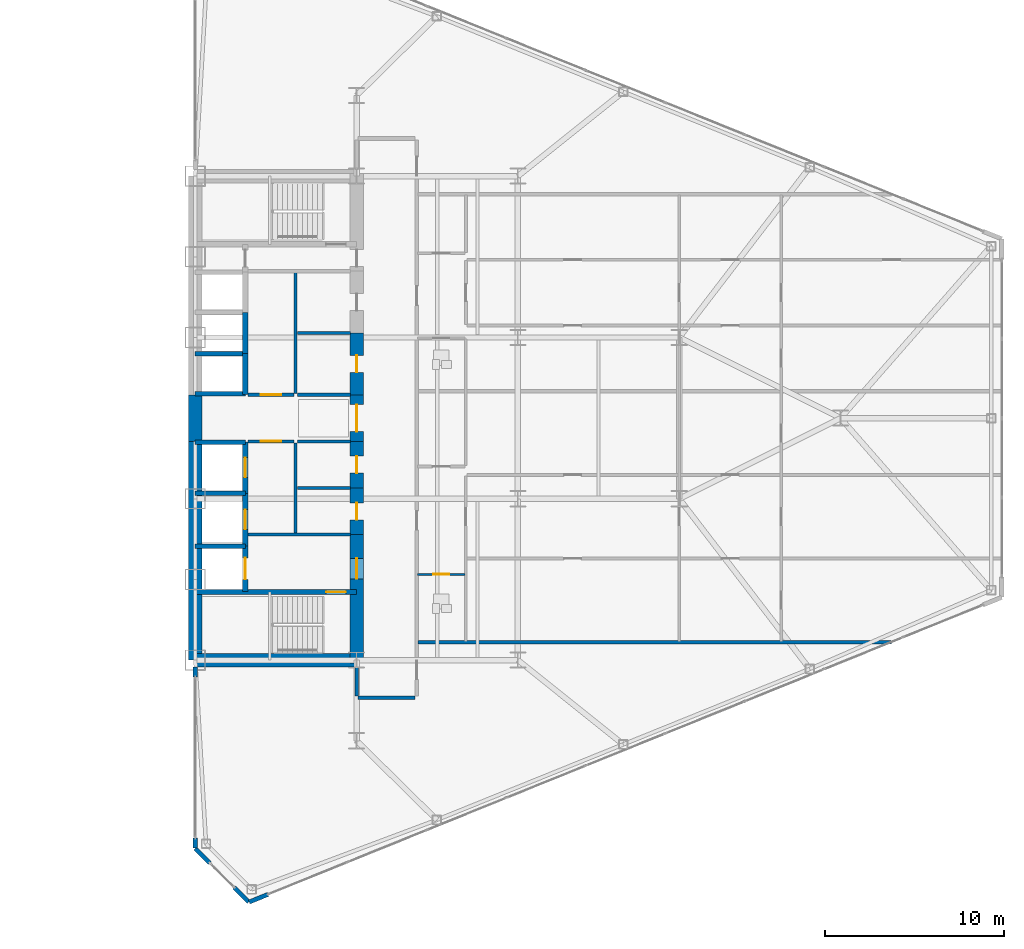
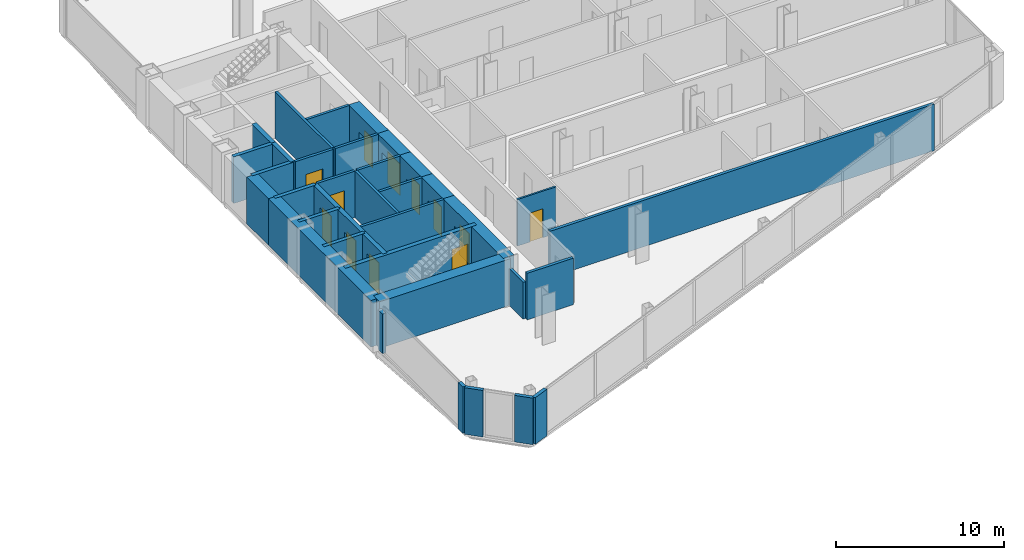
# One storey, part 20 of 25: 37 walls, 12 doors, 12 openings.
"""IFC4 building model written with IfcOpenShell, lengths in metres."""

from ifc_helpers import new_model, si_unit, direction, frame, frame_2d, origin, place, context, subcontext, project, spatial, rectangle, extrude, source, transform, mapped, material, layer, layer_set, type_object, type_shapes, element, fill, save


model = new_model("IFC4")

# Units and contexts
model_context = context("Model", 3, precision=1e-05, world=origin(), true_north=direction((0.0, 1.0)))
body_context = subcontext(model_context, "Body", "Model", "MODEL_VIEW")
ifc_project = project(units=[si_unit("LENGTHUNIT", "METRE"), si_unit("AREAUNIT", "SQUARE_METRE"), si_unit("VOLUMEUNIT", "CUBIC_METRE"), si_unit("PLANEANGLEUNIT", "RADIAN"), si_unit("MASSUNIT", "GRAM", prefix="KILO")], contexts=[model_context])

# Site, building, storey
site_placement = place(None, origin())
site = spatial("IfcSite", under=ifc_project, at=site_placement, CompositionType="ELEMENT")
building_placement = place(site_placement, origin())
building = spatial("IfcBuilding", under=site, at=building_placement, Name="Seokmaru Belvedere", CompositionType="ELEMENT")
storey_placement = place(building_placement, frame((0.0, 0.0, 51.300048828125)))
storey = spatial("IfcBuildingStorey", under=building, at=storey_placement, Name="L13", CompositionType="ELEMENT", Elevation=51.300048828125)

# Walls
ifc_material_1 = material(Name="Fire-Rated Gypsum Shaftwall")
ifc_layer_1 = layer(ifc_material_1, 0.179931640625)
ifc_layer_set_1 = layer_set([ifc_layer_1], Name="Fire-Rated Gypsum Shaftwall")
wall_type_1 = type_object("IfcWallType", Name="Core Service Fire Partition 180", PredefinedType="PARTITIONING", material=ifc_layer_set_1)
wall_1_placement = place(storey_placement, frame((30.449951171875, -6.5, 0.0), z_axis=(0.0, 0.0, 1.0), x_axis=(1.0, 0.0, 0.0)))
element("IfcWall", 1, at=wall_1_placement, inside=storey, type_object=wall_type_1, Name="L13 East Firefighting Lobby Partition", PredefinedType="PARTITIONING", context=body_context, shape_type="SweptSolid", body=[
    extrude(rectangle(XDim=5.699951171875, YDim=0.179931640625, at=frame_2d((2.85009765625, 0.0))), origin(), (0.0, 0.0, 1.0), 3.3798828125),
])
wall_2_placement = place(storey_placement, frame((33.10009765625, -6.419921875, 0.0), z_axis=(0.0, 0.0, 1.0), x_axis=(0.0, 1.0, 0.0)))
element("IfcWall", 2, at=wall_2_placement, inside=storey, type_object=wall_type_1, Name="L13 East South Core Service Back Wall", PredefinedType="PARTITIONING", context=body_context, shape_type="SweptSolid", body=[
    extrude(rectangle(XDim=5.0400390625, YDim=0.179931640625, at=frame_2d((2.52001953125, 0.0))), origin(), (0.0, 0.0, 1.0), 3.3798828125),
])
wall_3_placement = place(storey_placement, frame((33.10009765625, 1.3798828125, 0.0), z_axis=(0.0, 0.0, 1.0), x_axis=(0.0, 1.0, 0.0)))
element("IfcWall", 3, at=wall_3_placement, inside=storey, type_object=wall_type_1, Name="L13 East North Core Service Back Wall", PredefinedType="PARTITIONING", context=body_context, shape_type="SweptSolid", body=[
    extrude(rectangle(XDim=6.740234375, YDim=0.179931640625, at=frame_2d((3.3701171875, 0.0))), origin(), (0.0, 0.0, 1.0), 3.3798828125),
])

# Wall, opening, door
wall_4_placement = place(storey_placement, frame((30.449951171875, -1.300048828125, 0.0), z_axis=(0.0, 0.0, 1.0), x_axis=(1.0, 0.0, 0.0)))
wall_4 = element("IfcWall", 4, at=wall_4_placement, inside=storey, type_object=wall_type_1, Name="L13 East South Lift Lobby Foyer Wall", PredefinedType="PARTITIONING", context=body_context, shape_type="SweptSolid", body=[
    extrude(rectangle(XDim=2.570068359375, YDim=0.179931640625, at=frame_2d((1.28515625, 0.0))), origin(), (0.0, 0.0, 1.0), 3.3798828125),
])
opening_1_placement = place(wall_4_placement, frame((0.7099609375, 0.0, 0.0)))
opening_1 = element("IfcOpeningElement", 5, at=opening_1_placement, cuts=wall_4, Name="Opening D02", PredefinedType="OPENING", context=body_context, shape_type="SweptSolid", body=[
    extrude(rectangle(XDim=1.14990234375, YDim=2.199951171875, at=frame_2d((0.574951171875, 1.10009765625))), frame((0.0, 0.10009765625, 0.0), z_axis=(0.0, -1.0, 0.0), x_axis=(1.0, 0.0, 0.0)), (0.0, 0.0, 1.0), 0.199951171875),
])
ifc_material_2 = material(Name="Fire-Rated Steel Leaf", Category="steel")
door_type_1 = type_object("IfcDoorType", Name="Lobby and Vestibule Fire Door 1150x2200", OperationType="NOTDEFINED", PredefinedType="DOOR", material=ifc_material_2)
shared_shape_1 = source(origin(), body_context, "Body", "SweptSolid", [
    extrude(rectangle(XDim=1.14990234375, YDim=2.199951171875, at=frame_2d((0.574951171875, 1.10009765625))), frame((0.0, 0.02490234375, 0.0), z_axis=(0.0, -1.0, 0.0), x_axis=(1.0, 0.0, 0.0)), (0.0, 0.0, 1.0), 0.050048828125),
])
type_shapes(door_type_1, [shared_shape_1])
door_1_placement = place(opening_1_placement, origin())
door_1 = element("IfcDoor", 6, at=door_1_placement, inside=storey, type_object=door_type_1, Name="L13 East South Core Foyer Door", OperationType="SINGLE_SWING_RIGHT", OverallHeight=2.199951171875, OverallWidth=1.14990234375, PredefinedType="DOOR", context=body_context, shape_type="MappedRepresentation", body=[
    mapped(shared_shape_1, transform((0.0, 0.0, 0.0), scale=1.0)),
])
fill(opening_1, door_1)

wall_5_placement = place(storey_placement, frame((30.449951171875, 1.300048828125, 0.0), z_axis=(0.0, 0.0, 1.0), x_axis=(1.0, 0.0, 0.0)))
wall_5 = element("IfcWall", 7, at=wall_5_placement, inside=storey, type_object=wall_type_1, Name="L13 East North Lift Lobby Foyer Wall", PredefinedType="PARTITIONING", context=body_context, shape_type="SweptSolid", body=[
    extrude(rectangle(XDim=2.570068359375, YDim=0.179931640625, at=frame_2d((1.28515625, 0.0))), origin(), (0.0, 0.0, 1.0), 3.3798828125),
])
opening_2_placement = place(wall_5_placement, frame((0.7099609375, 0.0, 0.0)))
opening_2 = element("IfcOpeningElement", 8, at=opening_2_placement, cuts=wall_5, Name="Opening D02", PredefinedType="OPENING", context=body_context, shape_type="SweptSolid", body=[
    extrude(rectangle(XDim=1.14990234375, YDim=2.199951171875, at=frame_2d((0.574951171875, 1.10009765625))), frame((0.0, 0.10009765625, 0.0), z_axis=(0.0, -1.0, 0.0), x_axis=(1.0, 0.0, 0.0)), (0.0, 0.0, 1.0), 0.199951171875),
])
door_2_placement = place(opening_2_placement, origin())
door_2 = element("IfcDoor", 9, at=door_2_placement, inside=storey, type_object=door_type_1, Name="L13 East North Lift Lobby Door", OperationType="SINGLE_SWING_LEFT", OverallHeight=2.199951171875, OverallWidth=1.14990234375, PredefinedType="DOOR", context=body_context, shape_type="MappedRepresentation", body=[
    mapped(shared_shape_1, transform((0.0, 0.0, 0.0), scale=1.0)),
])
fill(opening_2, door_2)

# Walls
for number, where, z_axis, x_axis, name in (
    (10, (33.199951171875, -1.300048828125, 0.0), (0.0, 0.0, 1.0), (1.0, 0.0, 0.0), "L13 East Foyer Side Wall S"),
    (11, (33.199951171875, 1.300048828125, 0.0), (0.0, 0.0, 1.0), (1.0, 0.0, 0.0), "L13 East Foyer Side Wall N"),
    (12, (33.199951171875, -3.89990234375, 0.0), (0.0, 0.0, 1.0), (1.0, 0.0, 0.0), "L13 East Core Service Partition 1"),
    (13, (33.199951171875, 4.75, 0.0), (0.0, 0.0, 1.0), (1.0, 0.0, 0.0), "L13 East Core Service Partition 2"),
):
    element("IfcWall", number, at=place(storey_placement, frame(where, z_axis=z_axis, x_axis=x_axis)), inside=storey, type_object=wall_type_1, Name=name, PredefinedType="PARTITIONING", context=body_context, shape_type="SweptSolid", body=[
        extrude(rectangle(XDim=2.949951171875, YDim=0.179931640625, at=frame_2d((1.47509765625, 0.0))), origin(), (0.0, 0.0, 1.0), 3.3798828125),
    ])
ifc_material_3 = material(Name="Concrete C50 (50 MPa)", Category="concrete")
ifc_layer_2 = layer(ifc_material_3, 0.25)
ifc_layer_set_2 = layer_set([ifc_layer_2], Name="Concrete C50 (50 MPa)")
wall_type_2 = type_object("IfcWallType", Name="Hoistway Transverse Concrete Divider Wall 250", PredefinedType="SHEAR", material=ifc_layer_set_2)
for number, where, z_axis, x_axis, name in (
    (14, (27.5, -7.14990234375, 0.0), (0.0, 0.0, 1.0), (1.0, 0.0, 0.0), "L13 East Hoistway Divider Core Wall 1"),
    (15, (27.5, -4.199951171875, 0.0), (0.0, 0.0, 1.0), (1.0, 0.0, 0.0), "L13 East Hoistway Divider Core Wall 2"),
    (16, (27.5, -1.35009765625, 0.0), (0.0, 0.0, 1.0), (1.0, 0.0, 0.0), "L13 East Hoistway Divider Core Wall 3"),
    (17, (27.5, 1.35009765625, 0.0), (0.0, 0.0, 1.0), (1.0, 0.0, 0.0), "L13 East Hoistway Divider Core Wall 4"),
    (18, (27.5, 3.60009765625, 0.0), (0.0, 0.0, 1.0), (1.0, 0.0, 0.0), "L13 East Hoistway Divider Core Wall 5"),
):
    element("IfcWall", number, at=place(storey_placement, frame(where, z_axis=z_axis, x_axis=x_axis)), inside=storey, type_object=wall_type_2, Name=name, PredefinedType="SHEAR", context=body_context, shape_type="SweptSolid", body=[
        extrude(rectangle(XDim=2.800048828125, YDim=0.25, at=frame_2d((1.39990234375, 0.0))), origin(), (0.0, 0.0, 1.0), 3.3798828125),
    ])
ifc_layer_3 = layer(ifc_material_1, 0.199951171875)
ifc_layer_set_3 = layer_set([ifc_layer_3], Name="Fire-Rated Gypsum Shaftwall")
wall_type_3 = type_object("IfcWallType", Name="Inter-Tenancy Fire Compartment Partition 200", PredefinedType="PARTITIONING", material=ifc_layer_set_3)
wall_6_placement = place(storey_placement, frame((36.5849609375, -15.60009765625, 0.0), z_axis=(0.0, 0.0, 1.0), x_axis=(1.0, 0.0, 0.0)))
element("IfcWall", 19, at=wall_6_placement, inside=storey, type_object=wall_type_3, Name="L13 Interior Partition 005", PredefinedType="PARTITIONING", context=body_context, shape_type="SweptSolid", body=[
    extrude(rectangle(XDim=3.179931640625, YDim=0.199951171875, at=frame_2d((1.58984375, 0.0))), origin(), (0.0, 0.0, 1.0), 3.3798828125),
])
wall_7_placement = place(storey_placement, frame((39.929931640625, -12.5, 0.0), z_axis=(0.0, 0.0, 1.0), x_axis=(1.0, 0.0, 0.0)))
element("IfcWall", 20, at=wall_7_placement, inside=storey, type_object=wall_type_3, Name="L13 Interior Partition 008", PredefinedType="PARTITIONING", context=body_context, shape_type="SweptSolid", body=[
    extrude(rectangle(XDim=26.406982421875, YDim=0.199951171875, at=frame_2d((13.20361328125, 0.0))), origin(), (0.0, 0.0, 1.0), 3.3798828125),
])
wall_8_placement = place(storey_placement, frame((36.5, -15.514892578125, 0.0), z_axis=(0.0, 0.0, 1.0), x_axis=(0.0, 1.0, 0.0)))
element("IfcWall", 21, at=wall_8_placement, inside=storey, type_object=wall_type_3, Name="L13 Interior Partition 043", PredefinedType="PARTITIONING", context=body_context, shape_type="SweptSolid", body=[
    extrude(rectangle(XDim=1.635009765625, YDim=0.199951171875, at=frame_2d((0.8173828125, 0.0))), origin(), (0.0, 0.0, 1.0), 2.679931640625),
])

# Wall, opening, door
ifc_layer_4 = layer(ifc_material_3, 0.300048828125)
ifc_layer_set_4 = layer_set([ifc_layer_4], Name="Concrete C50 (50 MPa)")
wall_type_4 = type_object("IfcWallType", Name="Internal Core Stair and Hoistway Wall 300", PredefinedType="SHEAR", material=ifc_layer_set_4)
wall_9_placement = place(storey_placement, frame((27.5, -9.699951171875, 0.0), z_axis=(0.0, 0.0, 1.0), x_axis=(1.0, 0.0, 0.0)))
wall_9 = element("IfcWall", 22, at=wall_9_placement, inside=storey, type_object=wall_type_4, Name="L13 East Stair ST-1 Enclosure Wall", PredefinedType="SHEAR", context=body_context, shape_type="SweptSolid", body=[
    extrude(rectangle(XDim=9.0, YDim=0.300048828125, at=frame_2d((4.5, 0.0))), origin(), (0.0, 0.0, 1.0), 3.3798828125),
])
opening_3_placement = place(wall_9_placement, frame((7.300048828125, 0.0, 0.0)))
opening_3 = element("IfcOpeningElement", 23, at=opening_3_placement, cuts=wall_9, Name="Opening D01", PredefinedType="OPENING", context=body_context, shape_type="SweptSolid", body=[
    extrude(rectangle(XDim=1.10009765625, YDim=2.199951171875, at=frame_2d((0.550048828125, 1.10009765625))), frame((0.0, 0.16015625, 0.0), z_axis=(0.0, -1.0, 0.0), x_axis=(1.0, 0.0, 0.0)), (0.0, 0.0, 1.0), 0.320068359375),
])
door_type_2 = type_object("IfcDoorType", Name="Special Escape Stair Smokeproof Fire Door 1100x2200", OperationType="NOTDEFINED", PredefinedType="DOOR", material=ifc_material_2)
shared_shape_2 = source(origin(), body_context, "Body", "SweptSolid", [
    extrude(rectangle(XDim=1.10009765625, YDim=2.199951171875, at=frame_2d((0.550048828125, 1.10009765625))), frame((0.0, 0.02490234375, 0.0), z_axis=(0.0, -1.0, 0.0), x_axis=(1.0, 0.0, 0.0)), (0.0, 0.0, 1.0), 0.050048828125),
])
type_shapes(door_type_2, [shared_shape_2])
door_3_placement = place(opening_3_placement, frame((1.10009765625, 0.0, 0.0), z_axis=(0.0, 0.0, 1.0), x_axis=(-1.0, 0.0, 0.0)))
door_3 = element("IfcDoor", 24, at=door_3_placement, inside=storey, type_object=door_type_2, Name="L13 East Special Escape Stair ST-1 Door", OperationType="SINGLE_SWING_RIGHT", OverallHeight=2.199951171875, OverallWidth=1.10009765625, PredefinedType="DOOR", context=body_context, shape_type="MappedRepresentation", body=[
    mapped(shared_shape_2, transform((0.0, 0.0, 0.0), scale=1.0)),
])
fill(opening_3, door_3)

wall_10_placement = place(storey_placement, frame((30.300048828125, -9.679931640625, 0.0), z_axis=(0.0, 0.0, 1.0), x_axis=(0.0, 1.0, 0.0)))
wall_10 = element("IfcWall", 25, at=wall_10_placement, inside=storey, type_object=wall_type_4, Name="L13 East Firefighting Lift Shaft Front Wall", PredefinedType="SHEAR", context=body_context, shape_type="SweptSolid", body=[
    extrude(rectangle(XDim=2.559814453125, YDim=0.300048828125, at=frame_2d((1.27978515625, 0.0))), origin(), (0.0, 0.0, 1.0), 3.3798828125),
])
opening_4_placement = place(wall_10_placement, frame((0.679931640625, 0.0, 0.0)))
opening_4 = element("IfcOpeningElement", 26, at=opening_4_placement, cuts=wall_10, Name="Opening LD2", PredefinedType="OPENING", context=body_context, shape_type="SweptSolid", body=[
    extrude(rectangle(XDim=1.199951171875, YDim=2.25, at=frame_2d((0.60009765625, 1.125))), frame((0.0, 0.16015625, 0.0), z_axis=(0.0, -1.0, 0.0), x_axis=(1.0, 0.0, 0.0)), (0.0, 0.0, 1.0), 0.320068359375),
])
ifc_material_4 = material(Name="Stainless Steel 316", Category="steel")
door_type_3 = type_object("IfcDoorType", Name="Firefighting Lift Sliding Landing Door 1200x2250", OperationType="DOUBLE_DOOR_SLIDING", PredefinedType="DOOR", material=ifc_material_4)
shared_shape_3 = source(origin(), body_context, "Body", "SweptSolid", [
    extrude(rectangle(XDim=1.199951171875, YDim=2.25, at=frame_2d((0.60009765625, 1.125))), frame((0.0, 0.02490234375, 0.0), z_axis=(0.0, -1.0, 0.0), x_axis=(1.0, 0.0, 0.0)), (0.0, 0.0, 1.0), 0.050048828125),
])
type_shapes(door_type_3, [shared_shape_3])
door_4_placement = place(opening_4_placement, origin())
door_4 = element("IfcDoor", 27, at=door_4_placement, inside=storey, type_object=door_type_3, Name="L13 East Firefighting Lift Landing Door", OperationType="DOUBLE_DOOR_SLIDING", OverallHeight=2.25, OverallWidth=1.199951171875, PredefinedType="DOOR", context=body_context, shape_type="MappedRepresentation", body=[
    mapped(shared_shape_3, transform((0.0, 0.0, 0.0), scale=1.0)),
])
fill(opening_4, door_4)

wall_11_placement = place(storey_placement, frame((30.300048828125, -7.1201171875, 0.0), z_axis=(0.0, 0.0, 1.0), x_axis=(0.0, 1.0, 0.0)))
wall_11 = element("IfcWall", 28, at=wall_11_placement, inside=storey, type_object=wall_type_4, Name="L13 East Low-Rise Lift PL-1 Front Wall", PredefinedType="SHEAR", context=body_context, shape_type="SweptSolid", body=[
    extrude(rectangle(XDim=2.920166015625, YDim=0.300048828125, at=frame_2d((1.4599609375, 0.0))), origin(), (0.0, 0.0, 1.0), 3.3798828125),
])
opening_5_placement = place(wall_11_placement, frame((0.909912109375, 0.0, 0.0)))
opening_5 = element("IfcOpeningElement", 29, at=opening_5_placement, cuts=wall_11, Name="Opening LD1", PredefinedType="OPENING", context=body_context, shape_type="SweptSolid", body=[
    extrude(rectangle(XDim=1.10009765625, YDim=2.199951171875, at=frame_2d((0.550048828125, 1.10009765625))), frame((0.0, 0.16015625, 0.0), z_axis=(0.0, -1.0, 0.0), x_axis=(1.0, 0.0, 0.0)), (0.0, 0.0, 1.0), 0.320068359375),
])
door_type_4 = type_object("IfcDoorType", Name="Passenger Lift Sliding Landing Door 1100x2200", OperationType="DOUBLE_DOOR_SLIDING", PredefinedType="DOOR", material=ifc_material_4)
shared_shape_4 = source(origin(), body_context, "Body", "SweptSolid", [
    extrude(rectangle(XDim=1.10009765625, YDim=2.199951171875, at=frame_2d((0.550048828125, 1.10009765625))), frame((0.0, 0.02490234375, 0.0), z_axis=(0.0, -1.0, 0.0), x_axis=(1.0, 0.0, 0.0)), (0.0, 0.0, 1.0), 0.050048828125),
])
type_shapes(door_type_4, [shared_shape_4])
door_5_placement = place(opening_5_placement, origin())
door_5 = element("IfcDoor", 30, at=door_5_placement, inside=storey, type_object=door_type_4, Name="L13 East Low-Rise Lift PL-1 Landing Door", OperationType="DOUBLE_DOOR_SLIDING", OverallHeight=2.199951171875, OverallWidth=1.10009765625, PredefinedType="DOOR", context=body_context, shape_type="MappedRepresentation", body=[
    mapped(shared_shape_4, transform((0.0, 0.0, 0.0), scale=1.0)),
])
fill(opening_5, door_5)

wall_12_placement = place(storey_placement, frame((30.300048828125, -4.199951171875, 0.0), z_axis=(0.0, 0.0, 1.0), x_axis=(0.0, 1.0, 0.0)))
wall_12 = element("IfcWall", 31, at=wall_12_placement, inside=storey, type_object=wall_type_4, Name="L13 East Low-Rise Lift PL-2 Front Wall", PredefinedType="SHEAR", context=body_context, shape_type="SweptSolid", body=[
    extrude(rectangle(XDim=2.8798828125, YDim=0.300048828125, at=frame_2d((1.43994140625, 0.0))), origin(), (0.0, 0.0, 1.0), 3.3798828125),
])
opening_6_placement = place(wall_12_placement, frame((0.889892578125, 0.0, 0.0)))
opening_6 = element("IfcOpeningElement", 32, at=opening_6_placement, cuts=wall_12, Name="Opening LD1", PredefinedType="OPENING", context=body_context, shape_type="SweptSolid", body=[
    extrude(rectangle(XDim=1.10009765625, YDim=2.199951171875, at=frame_2d((0.550048828125, 1.10009765625))), frame((0.0, 0.16015625, 0.0), z_axis=(0.0, -1.0, 0.0), x_axis=(1.0, 0.0, 0.0)), (0.0, 0.0, 1.0), 0.320068359375),
])
door_6_placement = place(opening_6_placement, origin())
door_6 = element("IfcDoor", 33, at=door_6_placement, inside=storey, type_object=door_type_4, Name="L13 East Low-Rise Lift PL-2 Landing Door", OperationType="DOUBLE_DOOR_SLIDING", OverallHeight=2.199951171875, OverallWidth=1.10009765625, PredefinedType="DOOR", context=body_context, shape_type="MappedRepresentation", body=[
    mapped(shared_shape_4, transform((0.0, 0.0, 0.0), scale=1.0)),
])
fill(opening_6, door_6)

# Walls
wall_13_placement = place(storey_placement, frame((30.300048828125, 1.320068359375, 0.0), z_axis=(0.0, 0.0, 1.0), x_axis=(0.0, 1.0, 0.0)))
element("IfcWall", 34, at=wall_13_placement, inside=storey, type_object=wall_type_4, Name="L13 East North Hoistway Wall PH1", PredefinedType="SHEAR", context=body_context, shape_type="SweptSolid", body=[
    extrude(rectangle(XDim=2.280029296875, YDim=0.300048828125, at=frame_2d((1.14013671875, 0.0))), origin(), (0.0, 0.0, 1.0), 3.3798828125),
])
wall_14_placement = place(storey_placement, frame((30.300048828125, 3.60009765625, 0.0), z_axis=(0.0, 0.0, 1.0), x_axis=(0.0, 1.0, 0.0)))
element("IfcWall", 35, at=wall_14_placement, inside=storey, type_object=wall_type_4, Name="L13 East North Hoistway Wall PH2", PredefinedType="SHEAR", context=body_context, shape_type="SweptSolid", body=[
    extrude(rectangle(XDim=2.2998046875, YDim=0.300048828125, at=frame_2d((1.14990234375, 0.0))), origin(), (0.0, 0.0, 1.0), 3.3798828125),
])
ifc_material_5 = material(Name="Concrete C60 (60 MPa)", Category="concrete")
ifc_layer_5 = layer(ifc_material_5, 0.75)
ifc_layer_set_5 = layer_set([ifc_layer_5], Name="Concrete C60 (60 MPa)")
wall_type_5 = type_object("IfcWallType", Name="Lower Tower Reinforced Concrete Core Wall 750", PredefinedType="SHEAR", material=ifc_layer_set_5)
wall_15_placement = place(storey_placement, frame((27.5, -13.5, 0.0), z_axis=(0.0, 0.0, 1.0), x_axis=(0.0, 1.0, 0.0)))
element("IfcWall", 36, at=wall_15_placement, inside=storey, type_object=wall_type_5, Name="L13 East Portal Spine Core Wall South", PredefinedType="SHEAR", context=body_context, shape_type="SweptSolid", body=[
    extrude(rectangle(XDim=12.199951171875, YDim=0.75, at=frame_2d((6.10009765625, 0.0))), origin(), (0.0, 0.0, 1.0), 3.3798828125),
])
wall_16_placement = place(storey_placement, frame((27.5, -1.300048828125, 0.0), z_axis=(0.0, 0.0, 1.0), x_axis=(0.0, 1.0, 0.0)))
element("IfcWall", 37, at=wall_16_placement, inside=storey, type_object=wall_type_5, Name="L13 East Portal Spine Core Wall Center", PredefinedType="SHEAR", context=body_context, shape_type="SweptSolid", body=[
    extrude(rectangle(XDim=2.60009765625, YDim=0.75, at=frame_2d((1.300048828125, 0.0))), origin(), (0.0, 0.0, 1.0), 3.3798828125),
])
wall_17_placement = place(storey_placement, frame((27.5, -13.5, 0.0), z_axis=(0.0, 0.0, 1.0), x_axis=(1.0, 0.0, 0.0)))
element("IfcWall", 38, at=wall_17_placement, inside=storey, type_object=wall_type_5, Name="L13 East South Core Wall", PredefinedType="SHEAR", context=body_context, shape_type="SweptSolid", body=[
    extrude(rectangle(XDim=9.0, YDim=0.75, at=frame_2d((4.5, 0.0))), origin(), (0.0, 0.0, 1.0), 3.3798828125),
])

# Wall, opening, door
wall_18_placement = place(storey_placement, frame((36.5, -13.64990234375, 0.0), z_axis=(0.0, 0.0, 1.0), x_axis=(0.0, 1.0, 0.0)))
wall_18 = element("IfcWall", 39, at=wall_18_placement, inside=storey, type_object=wall_type_5, Name="L13 East West Core Wall FF", PredefinedType="SHEAR", context=body_context, shape_type="SweptSolid", body=[
    extrude(rectangle(XDim=7.14990234375, YDim=0.75, at=frame_2d((3.574951171875, 0.0))), origin(), (0.0, 0.0, 1.0), 3.3798828125),
])
opening_7_placement = place(wall_18_placement, frame((4.675048828125, 0.0, 0.0)))
opening_7 = element("IfcOpeningElement", 40, at=opening_7_placement, cuts=wall_18, Name="Opening D02", PredefinedType="OPENING", context=body_context, shape_type="SweptSolid", body=[
    extrude(rectangle(XDim=1.14990234375, YDim=2.199951171875, at=frame_2d((0.574951171875, 1.10009765625))), frame((0.0, 0.385009765625, 0.0), z_axis=(0.0, -1.0, 0.0), x_axis=(1.0, 0.0, 0.0)), (0.0, 0.0, 1.0), 0.77001953125),
])
door_7_placement = place(opening_7_placement, origin())
door_7 = element("IfcDoor", 41, at=door_7_placement, inside=storey, type_object=door_type_1, Name="L13 East Firefighting Lobby Door", OperationType="SINGLE_SWING_RIGHT", OverallHeight=2.199951171875, OverallWidth=1.14990234375, PredefinedType="DOOR", context=body_context, shape_type="MappedRepresentation", body=[
    mapped(shared_shape_1, transform((0.0, 0.0, 0.0), scale=1.0)),
])
fill(opening_7, door_7)

wall_19_placement = place(storey_placement, frame((36.5, -1.300048828125, 0.0), z_axis=(0.0, 0.0, 1.0), x_axis=(0.0, 1.0, 0.0)))
wall_19 = element("IfcWall", 42, at=wall_19_placement, inside=storey, type_object=wall_type_5, Name="L13 East West Core Wall FOY", PredefinedType="SHEAR", context=body_context, shape_type="SweptSolid", body=[
    extrude(rectangle(XDim=2.60009765625, YDim=0.75, at=frame_2d((1.300048828125, 0.0))), origin(), (0.0, 0.0, 1.0), 3.3798828125),
])
opening_8_placement = place(wall_19_placement, frame((0.550048828125, 0.0, 0.0)))
opening_8 = element("IfcOpeningElement", 43, at=opening_8_placement, cuts=wall_19, Name="Opening D08", PredefinedType="OPENING", context=body_context, shape_type="SweptSolid", body=[
    extrude(rectangle(XDim=1.5, YDim=2.300048828125, at=frame_2d((0.75, 1.14990234375))), frame((0.0, 0.385009765625, 0.0), z_axis=(0.0, -1.0, 0.0), x_axis=(1.0, 0.0, 0.0)), (0.0, 0.0, 1.0), 0.77001953125),
])
door_type_5 = type_object("IfcDoorType", Name="Cross-Corridor Compartment Double Fire Door 1500x2300", OperationType="DOUBLE_SWING_LEFT", PredefinedType="DOOR", material=ifc_material_2)
shared_shape_5 = source(origin(), body_context, "Body", "SweptSolid", [
    extrude(rectangle(XDim=1.5, YDim=2.300048828125, at=frame_2d((0.75, 1.14990234375))), frame((0.0, 0.02490234375, 0.0), z_axis=(0.0, -1.0, 0.0), x_axis=(1.0, 0.0, 0.0)), (0.0, 0.0, 1.0), 0.050048828125),
])
type_shapes(door_type_5, [shared_shape_5])
door_8_placement = place(opening_8_placement, origin())
door_8 = element("IfcDoor", 44, at=door_8_placement, inside=storey, type_object=door_type_5, Name="L13 East Core Foyer Compartment Door", OperationType="DOUBLE_SWING_LEFT", OverallHeight=2.300048828125, OverallWidth=1.5, PredefinedType="DOOR", context=body_context, shape_type="MappedRepresentation", body=[
    mapped(shared_shape_5, transform((0.0, 0.0, 0.0), scale=1.0)),
])
fill(opening_8, door_8)

wall_20_placement = place(storey_placement, frame((36.5, -6.5, 0.0), z_axis=(0.0, 0.0, 1.0), x_axis=(0.0, 1.0, 0.0)))
wall_20 = element("IfcWall", 45, at=wall_20_placement, inside=storey, type_object=wall_type_5, Name="L13 East West Core Wall CS1", PredefinedType="SHEAR", context=body_context, shape_type="SweptSolid", body=[
    extrude(rectangle(XDim=2.60009765625, YDim=0.75, at=frame_2d((1.300048828125, 0.0))), origin(), (0.0, 0.0, 1.0), 3.3798828125),
])
opening_9_placement = place(wall_20_placement, frame((0.824951171875, 0.0, 0.0)))
opening_9 = element("IfcOpeningElement", 46, at=opening_9_placement, cuts=wall_20, Name="Opening D04", PredefinedType="OPENING", context=body_context, shape_type="SweptSolid", body=[
    extrude(rectangle(XDim=0.949951171875, YDim=2.14990234375, at=frame_2d((0.47509765625, 1.074951171875))), frame((0.0, 0.385009765625, 0.0), z_axis=(0.0, -1.0, 0.0), x_axis=(1.0, 0.0, 0.0)), (0.0, 0.0, 1.0), 0.77001953125),
])
door_type_6 = type_object("IfcDoorType", Name="Core Service Room Fire Door 950x2150", OperationType="NOTDEFINED", PredefinedType="DOOR", material=ifc_material_2)
shared_shape_6 = source(origin(), body_context, "Body", "SweptSolid", [
    extrude(rectangle(XDim=0.949951171875, YDim=2.14990234375, at=frame_2d((0.47509765625, 1.074951171875))), frame((0.0, 0.02490234375, 0.0), z_axis=(0.0, -1.0, 0.0), x_axis=(1.0, 0.0, 0.0)), (0.0, 0.0, 1.0), 0.050048828125),
])
type_shapes(door_type_6, [shared_shape_6])
door_9_placement = place(opening_9_placement, origin())
door_9 = element("IfcDoor", 47, at=door_9_placement, inside=storey, type_object=door_type_6, Name="L13 East Core Service Room Door 1", OperationType="SINGLE_SWING_RIGHT", OverallHeight=2.14990234375, OverallWidth=0.949951171875, PredefinedType="DOOR", context=body_context, shape_type="MappedRepresentation", body=[
    mapped(shared_shape_6, transform((0.0, 0.0, 0.0), scale=1.0)),
])
fill(opening_9, door_9)

wall_21_placement = place(storey_placement, frame((36.5, -3.89990234375, 0.0), z_axis=(0.0, 0.0, 1.0), x_axis=(0.0, 1.0, 0.0)))
wall_21 = element("IfcWall", 48, at=wall_21_placement, inside=storey, type_object=wall_type_5, Name="L13 East West Core Wall CS2", PredefinedType="SHEAR", context=body_context, shape_type="SweptSolid", body=[
    extrude(rectangle(XDim=2.599853515625, YDim=0.75, at=frame_2d((1.2998046875, 0.0))), origin(), (0.0, 0.0, 1.0), 3.3798828125),
])
opening_10_placement = place(wall_21_placement, frame((0.824951171875, 0.0, 0.0)))
opening_10 = element("IfcOpeningElement", 49, at=opening_10_placement, cuts=wall_21, Name="Opening D04", PredefinedType="OPENING", context=body_context, shape_type="SweptSolid", body=[
    extrude(rectangle(XDim=0.949951171875, YDim=2.14990234375, at=frame_2d((0.47509765625, 1.074951171875))), frame((0.0, 0.385009765625, 0.0), z_axis=(0.0, -1.0, 0.0), x_axis=(1.0, 0.0, 0.0)), (0.0, 0.0, 1.0), 0.77001953125),
])
door_10_placement = place(opening_10_placement, origin())
door_10 = element("IfcDoor", 50, at=door_10_placement, inside=storey, type_object=door_type_6, Name="L13 East Core Service Room Door 2", OperationType="SINGLE_SWING_LEFT", OverallHeight=2.14990234375, OverallWidth=0.949951171875, PredefinedType="DOOR", context=body_context, shape_type="MappedRepresentation", body=[
    mapped(shared_shape_6, transform((0.0, 0.0, 0.0), scale=1.0)),
])
fill(opening_10, door_10)

wall_22_placement = place(storey_placement, frame((36.5, 1.300048828125, 0.0), z_axis=(0.0, 0.0, 1.0), x_axis=(0.0, 1.0, 0.0)))
wall_22 = element("IfcWall", 51, at=wall_22_placement, inside=storey, type_object=wall_type_5, Name="L13 East West Core Wall CS3", PredefinedType="SHEAR", context=body_context, shape_type="SweptSolid", body=[
    extrude(rectangle(XDim=3.449951171875, YDim=0.75, at=frame_2d((1.72509765625, 0.0))), origin(), (0.0, 0.0, 1.0), 3.3798828125),
])
opening_11_placement = place(wall_22_placement, frame((1.25, 0.0, 0.0)))
opening_11 = element("IfcOpeningElement", 52, at=opening_11_placement, cuts=wall_22, Name="Opening D04", PredefinedType="OPENING", context=body_context, shape_type="SweptSolid", body=[
    extrude(rectangle(XDim=0.949951171875, YDim=2.14990234375, at=frame_2d((0.47509765625, 1.074951171875))), frame((0.0, 0.385009765625, 0.0), z_axis=(0.0, -1.0, 0.0), x_axis=(1.0, 0.0, 0.0)), (0.0, 0.0, 1.0), 0.77001953125),
])
door_11_placement = place(opening_11_placement, origin())
door_11 = element("IfcDoor", 53, at=door_11_placement, inside=storey, type_object=door_type_6, Name="L13 East Core Service Room Door 3", OperationType="SINGLE_SWING_RIGHT", OverallHeight=2.14990234375, OverallWidth=0.949951171875, PredefinedType="DOOR", context=body_context, shape_type="MappedRepresentation", body=[
    mapped(shared_shape_6, transform((0.0, 0.0, 0.0), scale=1.0)),
])
fill(opening_11, door_11)

ifc_layer_6 = layer(ifc_material_1, 0.1298828125)
ifc_layer_set_6 = layer_set([ifc_layer_6], Name="Fire-Rated Gypsum Shaftwall")
wall_type_6 = type_object("IfcWallType", Name="Moisture-Resistant Fire-Rated Bathroom Partition 130", PredefinedType="PARTITIONING", material=ifc_layer_set_6)
wall_23_placement = place(storey_placement, frame((39.89990234375, -8.719970703125, 0.0), z_axis=(0.0, 0.0, 1.0), x_axis=(1.0, 0.0, 0.0)))
wall_23 = element("IfcWall", 54, at=wall_23_placement, inside=storey, type_object=wall_type_6, Name="L13 Interior Partition 010", PredefinedType="PARTITIONING", context=body_context, shape_type="SweptSolid", body=[
    extrude(rectangle(XDim=2.650146484375, YDim=0.1298828125, at=frame_2d((1.3251953125, 0.0))), origin(), (0.0, 0.0, 1.0), 3.3798828125),
])
opening_12_placement = place(wall_23_placement, frame((0.885009765625, 0.0, 0.0)))
opening_12 = element("IfcOpeningElement", 55, at=opening_12_placement, cuts=wall_23, Name="Opening D06", PredefinedType="OPENING", context=body_context, shape_type="SweptSolid", body=[
    extrude(rectangle(XDim=0.8798828125, YDim=2.10009765625, at=frame_2d((0.43994140625, 1.050048828125))), frame((0.0, 0.074951171875, 0.0), z_axis=(0.0, -1.0, 0.0), x_axis=(1.0, 0.0, 0.0)), (0.0, 0.0, 1.0), 0.14990234375),
])
ifc_material_6 = material(Name="Engineered White Oak Timber", Category="wood")
door_type_7 = type_object("IfcDoorType", Name="Bathroom and Restroom Fire-Rated Door 880x2100", OperationType="NOTDEFINED", PredefinedType="DOOR", material=ifc_material_6)
shared_shape_7 = source(origin(), body_context, "Body", "SweptSolid", [
    extrude(rectangle(XDim=0.8798828125, YDim=2.10009765625, at=frame_2d((0.43994140625, 1.050048828125))), frame((0.0, 0.02490234375, 0.0), z_axis=(0.0, -1.0, 0.0), x_axis=(1.0, 0.0, 0.0)), (0.0, 0.0, 1.0), 0.050048828125),
])
type_shapes(door_type_7, [shared_shape_7])
door_12_placement = place(opening_12_placement, origin())
door_12 = element("IfcDoor", 56, at=door_12_placement, inside=storey, type_object=door_type_7, Name="L13 Interior Door 039", OperationType="SINGLE_SWING_RIGHT", OverallHeight=2.10009765625, OverallWidth=0.8798828125, PredefinedType="DOOR", context=body_context, shape_type="MappedRepresentation", body=[
    mapped(shared_shape_7, transform((0.0, 0.0, 0.0), scale=1.0)),
])
fill(opening_12, door_12)

# Walls
ifc_material_7 = material(Name="Anodised Bronze Aluminium", Category="aluminium")
ifc_layer_7 = layer(ifc_material_7, 0.239990234375)
ifc_layer_set_7 = layer_set([ifc_layer_7], Name="Anodised Bronze Aluminium")
wall_type_7 = type_object("IfcWallType", Name="Tower Corner Spandrel Closure Wall 240", PredefinedType="SOLIDWALL", material=ifc_layer_set_7)
wall_24_placement = place(storey_placement, frame((30.50927734375, -26.99609375, 0.0), z_axis=(0.0, 0.0, 1.0), x_axis=(0.927007103665, 0.375043770452, 0.0)))
element("IfcWall", 57, at=wall_24_placement, inside=storey, type_object=wall_type_7, Name="L13 E Corner Closure Pier 1A", PredefinedType="SOLIDWALL", context=body_context, shape_type="SweptSolid", body=[
    extrude(rectangle(XDim=1.139892578125, YDim=0.239990234375, at=frame_2d((0.56982421875, 0.0))), origin(), (0.0, 0.0, 1.0), 3.3798828125),
])
wall_25_placement = place(storey_placement, frame((27.5, -23.97998046875, 0.0), z_axis=(0.0, 0.0, 1.0), x_axis=(0.0, 1.0, 0.0)))
element("IfcWall", 58, at=wall_25_placement, inside=storey, type_object=wall_type_7, Name="L13 E Spine Closure Pier 1A", PredefinedType="SOLIDWALL", context=body_context, shape_type="SweptSolid", body=[
    extrude(rectangle(XDim=0.550048828125, YDim=0.239990234375, at=frame_2d((0.27490234375, 0.0))), origin(), (0.0, 0.0, 1.0), 3.3798828125),
])
wall_26_placement = place(storey_placement, frame((27.5, -14.429931640625, 0.0), z_axis=(0.0, 0.0, 1.0), x_axis=(0.0, 1.0, 0.0)))
element("IfcWall", 59, at=wall_26_placement, inside=storey, type_object=wall_type_7, Name="L13 E Spine Closure Pier 1B", PredefinedType="SOLIDWALL", context=body_context, shape_type="SweptSolid", body=[
    extrude(rectangle(XDim=0.550048828125, YDim=0.239990234375, at=frame_2d((0.27490234375, 0.0))), origin(), (0.0, 0.0, 1.0), 2.8798828125),
])
for number, where, z_axis, x_axis, name in (
    (60, (27.507080078125, -24.007080078125, 0.0), (0.0, 0.0, 1.0), (0.707106781187, -0.707106781187, 0.0), "L13 E Corner Closure Pier 6A"),
    (61, (29.686767578125, -26.186767578125, 0.0), (0.0, 0.0, 1.0), (0.707106781187, -0.707106781187, 0.0), "L13 E Corner Closure Pier 6B"),
):
    element("IfcWall", number, at=place(storey_placement, frame(where, z_axis=z_axis, x_axis=x_axis)), inside=storey, type_object=wall_type_7, Name=name, PredefinedType="SOLIDWALL", context=body_context, shape_type="SweptSolid", body=[
        extrude(rectangle(XDim=1.14013671875, YDim=0.239990234375, at=frame_2d((0.570068359375, 0.0))), origin(), (0.0, 0.0, 1.0), 3.3798828125),
    ])

save(model, "model.ifc")
